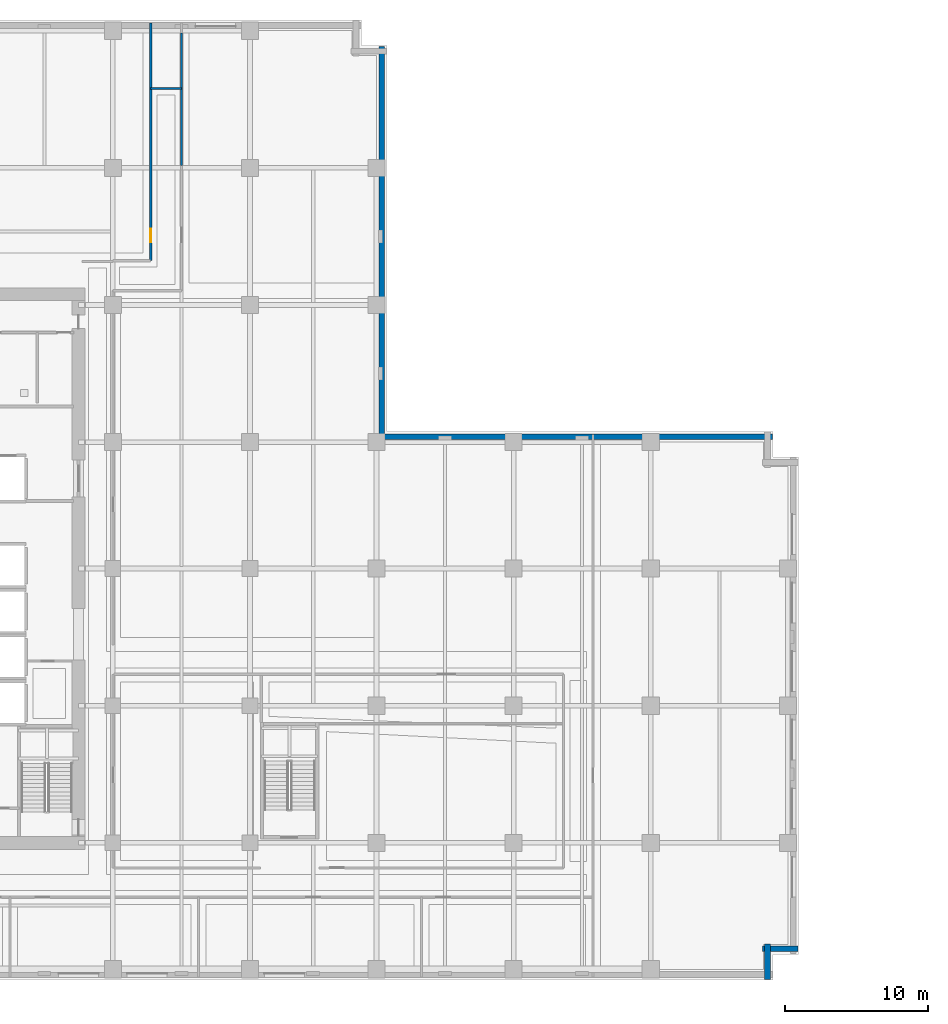
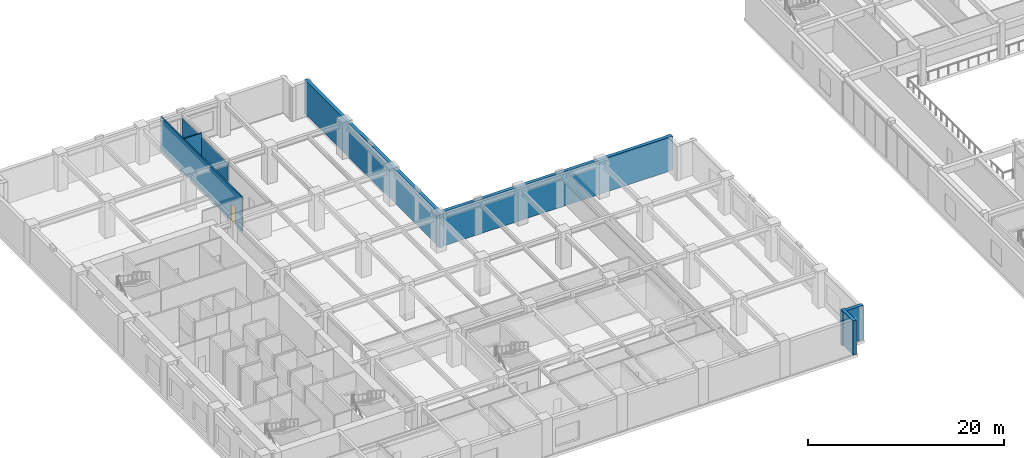
# One storey, part 8 of 24: 7 walls, 1 door, 1 opening.
"""IFC4 building model written with IfcOpenShell, lengths in metres."""

from ifc_helpers import new_model, si_unit, direction, frame, frame_2d, origin, place, context, subcontext, project, spatial, rectangle, extrude, material, layer, layer_set, type_object, element, fill, save


model = new_model("IFC4")

# Units and contexts
model_context = context("Model", 3, precision=1e-05, world=origin(), true_north=direction((0.0, 1.0)))
body_context = subcontext(model_context, "Body", "Model", "MODEL_VIEW")
ifc_project = project(units=[si_unit("LENGTHUNIT", "METRE"), si_unit("AREAUNIT", "SQUARE_METRE"), si_unit("VOLUMEUNIT", "CUBIC_METRE"), si_unit("PLANEANGLEUNIT", "RADIAN"), si_unit("MASSUNIT", "GRAM", prefix="KILO")], contexts=[model_context])

# Site, building, storey
site_placement = place(None, origin())
site = spatial("IfcSite", under=ifc_project, at=site_placement, CompositionType="ELEMENT")
building_placement = place(site_placement, origin())
building = spatial("IfcBuilding", under=site, at=building_placement, Name="Norrvale University Quadrangle", CompositionType="ELEMENT")
storey_placement = place(building_placement, frame((0.0, 0.0, 10.39990234375)))
storey = spatial("IfcBuildingStorey", under=building, at=storey_placement, Name="L02", CompositionType="ELEMENT", Elevation=10.39990234375)

# Walls
ifc_material_1 = material(Name="Fire-Rated Gypsum Stud Partition")
ifc_layer_1 = layer(ifc_material_1, 0.14990234375, Name="Fire-Rated Gypsum Stud Partition")
ifc_layer_set_1 = layer_set([ifc_layer_1], Name="Fire-Rated Gypsum Stud Partition")
wall_type_1 = type_object("IfcWallType", Name="Wall Gypsum Corridor 150", PredefinedType="PARTITIONING", material=ifc_layer_set_1)
wall_1_placement = place(storey_placement, frame((21.85009765625, 62.39990234375, 0.0), z_axis=(0.0, 0.0, 1.0), x_axis=(1.0, 0.0, 0.0)))
element("IfcWall", 1, at=wall_1_placement, inside=storey, type_object=wall_type_1, Name="Interior Partition WL-L02-JOGEND", PredefinedType="PARTITIONING", context=body_context, shape_type="SweptSolid", body=[
    extrude(rectangle(XDim=2.14990234375, YDim=0.14990234375, at=frame_2d((1.074951171875, 0.0))), origin(), (0.0, 0.0, 1.0), 4.260009765625),
])
wall_2_placement = place(storey_placement, frame((24.0, 57.012451171875, 0.0), z_axis=(0.0, 0.0, 1.0), x_axis=(0.0, 1.0, 0.0)))
element("IfcWall", 2, at=wall_2_placement, inside=storey, type_object=wall_type_1, Name="Interior Partition WL-L02-NECW-B3", PredefinedType="PARTITIONING", context=body_context, shape_type="SweptSolid", body=[
    extrude(rectangle(XDim=9.275146484375, YDim=0.14990234375, at=frame_2d((4.6376953125, 0.0))), origin(), (0.0, 0.0, 1.0), 3.716064453125),
])

# Wall, opening, door
wall_3_placement = place(storey_placement, frame((21.85009765625, 50.35009765625, 0.0), z_axis=(0.0, 0.0, 1.0), x_axis=(0.0, 1.0, 0.0)))
wall_3 = element("IfcWall", 3, at=wall_3_placement, inside=storey, type_object=wall_type_1, Name="Interior Partition WL-L02-NWCW", PredefinedType="PARTITIONING", context=body_context, shape_type="SweptSolid", body=[
    extrude(rectangle(XDim=16.6298828125, YDim=0.14990234375, at=frame_2d((8.31494140625, 0.0))), origin(), (0.0, 0.0, 1.0), 4.260009765625),
])
opening_placement = place(wall_3_placement, frame((1.300048828125, 0.0, 0.0)))
opening = element("IfcOpeningElement", 4, at=opening_placement, cuts=wall_3, Name="Opening D07", PredefinedType="OPENING", context=body_context, shape_type="SweptSolid", body=[
    extrude(rectangle(XDim=0.949951171875, YDim=2.14990234375, at=frame_2d((0.47509765625, 1.074951171875))), frame((0.0, 0.0869140625, 0.0), z_axis=(0.0, -1.0, 0.0), x_axis=(1.0, 0.0, 0.0)), (0.0, 0.0, 1.0), 0.173828125),
])
ifc_material_2 = material(Name="Solid-Core Maple Door", Category="wood")
door_type = type_object("IfcDoorType", Name="Door Office 950x2150", OperationType="NOTDEFINED", PredefinedType="DOOR", material=ifc_material_2)
door_placement = place(opening_placement, origin())
door = element("IfcDoor", 5, at=door_placement, inside=storey, type_object=door_type, Name="Door Office 950x2150 DR-L02-NW01", OperationType="SINGLE_SWING_RIGHT", OverallHeight=2.14990234375, OverallWidth=0.949951171875, PredefinedType="DOOR", context=body_context, shape_type="SweptSolid", body=[
    extrude(rectangle(XDim=0.949951171875, YDim=2.14990234375, at=frame_2d((0.47509765625, 1.074951171875))), frame((0.0, 0.02490234375, 0.0), z_axis=(0.0, -1.0, 0.0), x_axis=(1.0, 0.0, 0.0)), (0.0, 0.0, 1.0), 0.050048828125),
])
fill(opening, door)

# Walls
ifc_material_3 = material(Name="Red Manganese Brick Masonry", Category="masonry")
ifc_layer_2 = layer(ifc_material_3, 0.39990234375, Name="Red Manganese Brick Masonry")
ifc_layer_set_2 = layer_set([ifc_layer_2], Name="Red Manganese Brick Masonry")
wall_type_2 = type_object("IfcWallType", Name="Wall Red Brick 400", PredefinedType="SOLIDWALL", material=ifc_layer_set_2)
for number, where, z_axis, x_axis, name in (
    (6, (65.02001953125, 0.0400390625, 0.0), (0.0, 0.0, 1.0), (0.0, 1.0, 0.0), "Exterior Brick Facade Wall L02-02.1"),
    (7, (64.679931640625, 2.179931640625, 0.0), (0.0, 0.0, 1.0), (1.0, 0.0, 0.0), "Exterior Brick Facade Wall L02-03.1"),
):
    element("IfcWall", number, at=place(storey_placement, frame(where, z_axis=z_axis, x_axis=x_axis)), inside=storey, type_object=wall_type_2, Name=name, PredefinedType="SOLIDWALL", context=body_context, shape_type="SweptSolid", body=[
        extrude(rectangle(XDim=2.47998046875, YDim=0.39990234375, at=frame_2d((1.239990234375, 0.0))), origin(), (0.0, 0.0, 1.0), 4.260009765625),
    ])
for number, where, z_axis, x_axis, name in (
    (8, (65.360107421875, 38.02001953125, 0.0), (0.0, 0.0, 1.0), (-1.0, 0.0, 0.0), "Exterior Brick Facade Wall L02-07.1"),
    (9, (38.02001953125, 37.679931640625, 0.0), (0.0, 0.0, 1.0), (0.0, 1.0, 0.0), "Exterior Brick Facade Wall L02-08.1"),
):
    element("IfcWall", number, at=place(storey_placement, frame(where, z_axis=z_axis, x_axis=x_axis)), inside=storey, type_object=wall_type_2, Name=name, PredefinedType="SOLIDWALL", context=body_context, shape_type="SweptSolid", body=[
        extrude(rectangle(XDim=27.68017578125, YDim=0.39990234375, at=frame_2d((13.840087890625, 0.0))), origin(), (0.0, 0.0, 1.0), 4.260009765625),
    ])

save(model, "model.ifc")
